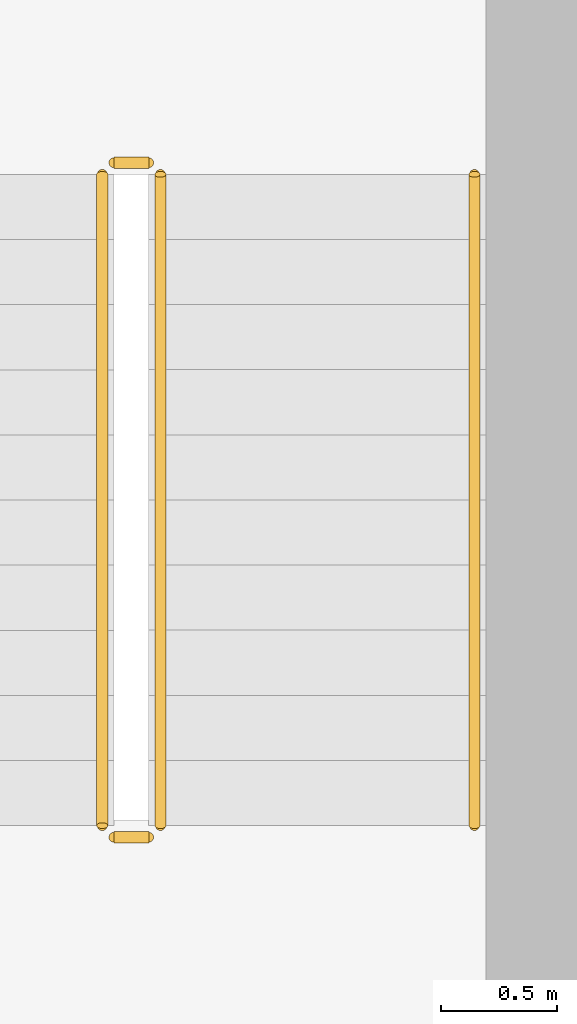
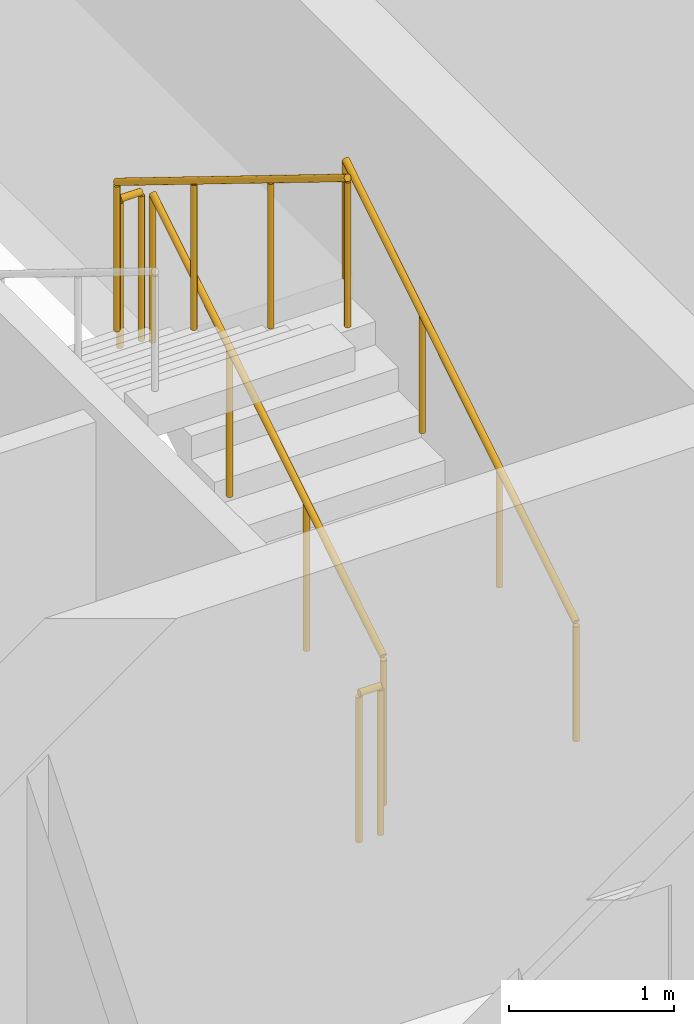
# One storey, part 27 of 28: 5 railings.
"""IFC4 building model written with IfcOpenShell, lengths in metres."""

from ifc_helpers import new_model, si_unit, direction, frame, origin, origin_2d, place, context, subcontext, project, spatial, circle, extrude, material, type_object, element, save


model = new_model("IFC4")

# Units and contexts
model_context = context("Model", 3, precision=1e-05, world=origin(), true_north=direction((0.0, 1.0)))
body_context = subcontext(model_context, "Body", "Model", "MODEL_VIEW")
ifc_project = project(units=[si_unit("LENGTHUNIT", "METRE"), si_unit("AREAUNIT", "SQUARE_METRE"), si_unit("VOLUMEUNIT", "CUBIC_METRE"), si_unit("PLANEANGLEUNIT", "RADIAN"), si_unit("MASSUNIT", "GRAM", prefix="KILO")], contexts=[model_context])

# Site, building, storey
site_placement = place(None, origin())
site = spatial("IfcSite", under=ifc_project, at=site_placement, CompositionType="ELEMENT")
building_placement = place(site_placement, origin())
building = spatial("IfcBuilding", under=site, at=building_placement, Name="Saevonmaru Cultural Tower", CompositionType="ELEMENT")
storey_placement = place(building_placement, frame((0.0, 0.0, 253.39990234375)))
storey = spatial("IfcBuildingStorey", under=building, at=storey_placement, Name="L59", CompositionType="ELEMENT", Elevation=253.39990234375)

# Railings
ifc_material_1 = material(Name="Architectural Painted Steel", Category="steel")
railing_type_1 = type_object("IfcRailingType", Name="RL-STAIR-GUARD", PredefinedType="GUARDRAIL", material=ifc_material_1)
railing_1_placement = place(storey_placement, frame((44.39990234375, 44.85009765625, 0.1728515625)))
element("IfcRailing", 1, at=railing_1_placement, inside=storey, type_object=railing_type_1, Name="L59 ST-2 stair guard 1", PredefinedType="GUARDRAIL", context=body_context, shape_type="SweptSolid", body=[
    extrude(circle(Radius=0.02392578125, at=origin_2d()), frame((0.0, 0.0, 1.09619140625), z_axis=(0.0, 0.851069175582, 0.525053576669), x_axis=(-1.0, 0.0, 0.0)), (0.0, 0.0, 1.0), 3.289794921875),
    extrude(circle(Radius=0.02099609375, at=origin_2d()), origin(), (0.0, 0.0, 1.0), 1.072021484375),
    extrude(circle(Radius=0.02099609375, at=origin_2d()), frame((0.0, 0.933349609375, 0.57568359375)), (0.0, 0.0, 1.0), 1.072021484375),
    extrude(circle(Radius=0.02099609375, at=origin_2d()), frame((0.0, 1.866455078125, 1.151611328125)), (0.0, 0.0, 1.0), 1.072021484375),
    extrude(circle(Radius=0.02099609375, at=origin_2d()), frame((0.0, 2.7998046875, 1.727294921875)), (0.0, 0.0, 1.0), 1.072021484375),
])
railing_2_placement = place(storey_placement, frame((44.35009765625, 47.699951171875, 1.900146484375)))
element("IfcRailing", 2, at=railing_2_placement, inside=storey, type_object=railing_type_1, Name="L59 ST-2 stair guard 2", PredefinedType="GUARDRAIL", context=body_context, shape_type="SweptSolid", body=[
    extrude(circle(Radius=0.02392578125, at=origin_2d()), frame((0.0, 0.0, 1.09619140625), z_axis=(-1.0, 0.0, 0.0), x_axis=(0.0, -1.0, 0.0)), (0.0, 0.0, 1.0), 0.150146484375),
    extrude(circle(Radius=0.02099609375, at=origin_2d()), origin(), (0.0, 0.0, 1.0), 1.072021484375),
    extrude(circle(Radius=0.02099609375, at=origin_2d()), frame((-0.150146484375, 0.0, 0.0)), (0.0, 0.0, 1.0), 1.072021484375),
])
railing_3_placement = place(storey_placement, frame((44.14990234375, 47.64990234375, 2.07275390625)))
element("IfcRailing", 3, at=railing_3_placement, inside=storey, type_object=railing_type_1, Name="L59 ST-2 stair guard 3", PredefinedType="GUARDRAIL", context=body_context, shape_type="SweptSolid", body=[
    extrude(circle(Radius=0.02392578125, at=origin_2d()), frame((0.0, 0.0, 1.09619140625), z_axis=(0.0, -0.851069175582, 0.525053576669), x_axis=(1.0, 0.0, 0.0)), (0.0, 0.0, 1.0), 3.289794921875),
    extrude(circle(Radius=0.02099609375, at=origin_2d()), origin(), (0.0, 0.0, 1.0), 1.072021484375),
    extrude(circle(Radius=0.02099609375, at=origin_2d()), frame((0.0, -0.933349609375, 0.57568359375)), (0.0, 0.0, 1.0), 1.072021484375),
    extrude(circle(Radius=0.02099609375, at=origin_2d()), frame((0.0, -1.866455078125, 1.151611328125)), (0.0, 0.0, 1.0), 1.072021484375),
    extrude(circle(Radius=0.02099609375, at=origin_2d()), frame((0.0, -2.7998046875, 1.727294921875)), (0.0, 0.0, 1.0), 1.072021484375),
])
railing_4_placement = place(storey_placement, frame((44.35009765625, 44.800048828125, 0.0)))
element("IfcRailing", 4, at=railing_4_placement, inside=storey, type_object=railing_type_1, Name="L59 ST-2 stair guard 4", PredefinedType="GUARDRAIL", context=body_context, shape_type="SweptSolid", body=[
    extrude(circle(Radius=0.02392578125, at=origin_2d()), frame((0.0, 0.0, 1.09619140625), z_axis=(-1.0, 0.0, 0.0), x_axis=(0.0, -1.0, 0.0)), (0.0, 0.0, 1.0), 0.150146484375),
    extrude(circle(Radius=0.02099609375, at=origin_2d()), origin(), (0.0, 0.0, 1.0), 1.072021484375),
    extrude(circle(Radius=0.02099609375, at=origin_2d()), frame((-0.150146484375, 0.0, 0.0)), (0.0, 0.0, 1.0), 1.072021484375),
])
ifc_material_2 = material(Name="Satin Bronze Anodised Aluminium", Category="aluminium")
railing_type_2 = type_object("IfcRailingType", Name="RL-STAIR-HANDRAIL", PredefinedType="HANDRAIL", material=ifc_material_2)
railing_5_placement = place(storey_placement, frame((45.75, 44.85009765625, 0.1728515625)))
element("IfcRailing", 5, at=railing_5_placement, inside=storey, type_object=railing_type_2, Name="L59 ST-2 stair handrail 1", PredefinedType="HANDRAIL", context=body_context, shape_type="SweptSolid", body=[
    extrude(circle(Radius=0.02392578125, at=origin_2d()), frame((0.0, 0.0, 0.8759765625), z_axis=(0.0, 0.851069175582, 0.525053576669), x_axis=(-1.0, 0.0, 0.0)), (0.0, 0.0, 1.0), 3.289794921875),
    extrude(circle(Radius=0.02099609375, at=origin_2d()), origin(), (0.0, 0.0, 1.0), 0.851806640625),
    extrude(circle(Radius=0.02099609375, at=origin_2d()), frame((0.0, 0.933349609375, 0.57568359375)), (0.0, 0.0, 1.0), 0.851806640625),
    extrude(circle(Radius=0.02099609375, at=origin_2d()), frame((0.0, 1.866455078125, 1.151611328125)), (0.0, 0.0, 1.0), 0.851806640625),
    extrude(circle(Radius=0.02099609375, at=origin_2d()), frame((0.0, 2.7998046875, 1.727294921875)), (0.0, 0.0, 1.0), 0.851806640625),
])

save(model, "model.ifc")
